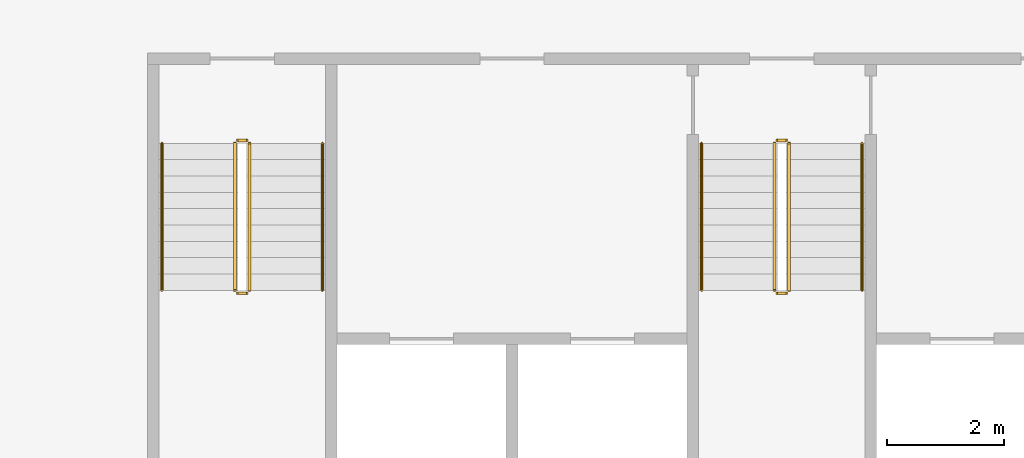
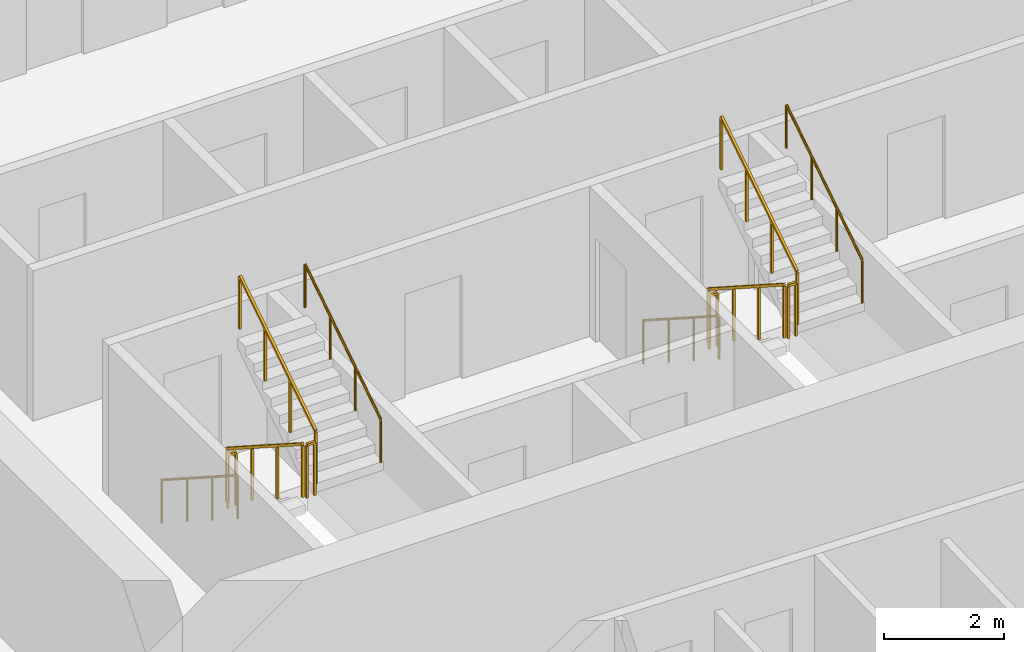
# One storey, part 15 of 17: 12 railings.
"""IFC4 building model written with IfcOpenShell, lengths in metres."""

from ifc_helpers import new_model, si_unit, direction, frame, origin, origin_2d, place, context, subcontext, project, spatial, rectangle, circle, extrude, material, type_object, element, save


model = new_model("IFC4")

# Units and contexts
model_context = context("Model", 3, precision=1e-05, world=origin(), true_north=direction((0.0, 1.0)))
body_context = subcontext(model_context, "Body", "Model", "MODEL_VIEW")
ifc_project = project(units=[si_unit("LENGTHUNIT", "METRE"), si_unit("AREAUNIT", "SQUARE_METRE"), si_unit("VOLUMEUNIT", "CUBIC_METRE"), si_unit("PLANEANGLEUNIT", "RADIAN"), si_unit("MASSUNIT", "GRAM", prefix="KILO")], contexts=[model_context])

# Site, building, storey
site_placement = place(None, origin())
site = spatial("IfcSite", under=ifc_project, at=site_placement, CompositionType="ELEMENT")
building_placement = place(site_placement, origin())
building = spatial("IfcBuilding", under=site, at=building_placement, Name="Mangrove Gate Tower", CompositionType="ELEMENT")
storey_placement = place(building_placement, frame((0.0, 0.0, 257.300048828125)))
storey = spatial("IfcBuildingStorey", under=building, at=storey_placement, Name="L65", CompositionType="ELEMENT", Elevation=257.300048828125)

# Railings
ifc_material_1 = material(Name="Stainless steel 316", Category="steel")
railing_type_1 = type_object("IfcRailingType", Name="Core stair guard 1100", PredefinedType="GUARDRAIL", material=ifc_material_1)
railing_1_placement = place(storey_placement, frame((-9.39990234375, -4.64990234375, 0.179931640625)))
element("IfcRailing", 1, at=railing_1_placement, inside=storey, type_object=railing_type_1, Name="L65 ST1 stair guard 1", PredefinedType="GUARDRAIL", context=body_context, shape_type="SweptSolid", body=[
    extrude(rectangle(XDim=0.048095703125, YDim=0.048095703125, at=origin_2d()), frame((0.0, 0.0, 1.076171875), z_axis=(0.0, -0.841162588446, 0.540782303519), x_axis=(1.0, 0.0, 0.0)), (0.0, 0.0, 1.0), 2.995849609375),
    extrude(rectangle(XDim=0.0419921875, YDim=0.0419921875, at=origin_2d()), origin(), (0.0, 0.0, 1.0), 1.052001953125),
    extrude(rectangle(XDim=0.0419921875, YDim=0.0419921875, at=origin_2d()), frame((0.0, -0.840087890625, 0.5400390625)), (0.0, 0.0, 1.0), 1.052001953125),
    extrude(rectangle(XDim=0.0419921875, YDim=0.0419921875, at=origin_2d()), frame((0.0, -1.679931640625, 1.080078125)), (0.0, 0.0, 1.0), 1.052001953125),
    extrude(rectangle(XDim=0.0419921875, YDim=0.0419921875, at=origin_2d()), frame((0.0, -2.52001953125, 1.6201171875)), (0.0, 0.0, 1.0), 1.052001953125),
])
railing_2_placement = place(storey_placement, frame((-9.35009765625, -7.219970703125, 1.800048828125)))
element("IfcRailing", 2, at=railing_2_placement, inside=storey, type_object=railing_type_1, Name="L65 ST1 stair guard 2", PredefinedType="GUARDRAIL", context=body_context, shape_type="SweptSolid", body=[
    extrude(rectangle(XDim=0.048095703125, YDim=0.048095703125, at=origin_2d()), frame((0.0, 0.0, 1.076171875), z_axis=(1.0, 0.0, 0.0), x_axis=(0.0, 1.0, 0.0)), (0.0, 0.0, 1.0), 0.150146484375),
    extrude(rectangle(XDim=0.0419921875, YDim=0.0419921875, at=origin_2d()), origin(), (0.0, 0.0, 1.0), 1.052001953125),
    extrude(rectangle(XDim=0.0419921875, YDim=0.0419921875, at=origin_2d()), frame((0.150146484375, 0.0, 0.0)), (0.0, 0.0, 1.0), 1.052001953125),
])
railing_3_placement = place(storey_placement, frame((-9.14990234375, -7.169921875, 1.97998046875)))
element("IfcRailing", 3, at=railing_3_placement, inside=storey, type_object=railing_type_1, Name="L65 ST1 stair guard 3", PredefinedType="GUARDRAIL", context=body_context, shape_type="SweptSolid", body=[
    extrude(rectangle(XDim=0.048095703125, YDim=0.048095703125, at=origin_2d()), frame((0.0, 0.0, 1.076171875), z_axis=(0.0, 0.841199657755, 0.540724639528), x_axis=(-1.0, 0.0, 0.0)), (0.0, 0.0, 1.0), 2.995849609375),
    extrude(rectangle(XDim=0.0419921875, YDim=0.0419921875, at=origin_2d()), origin(), (0.0, 0.0, 1.0), 1.052001953125),
    extrude(rectangle(XDim=0.0419921875, YDim=0.0419921875, at=origin_2d()), frame((0.0, 0.840087890625, 0.5400390625)), (0.0, 0.0, 1.0), 1.052001953125),
    extrude(rectangle(XDim=0.0419921875, YDim=0.0419921875, at=origin_2d()), frame((0.0, 1.679931640625, 1.079833984375)), (0.0, 0.0, 1.0), 1.052001953125),
    extrude(rectangle(XDim=0.0419921875, YDim=0.0419921875, at=origin_2d()), frame((0.0, 2.52001953125, 1.619873046875)), (0.0, 0.0, 1.0), 1.052001953125),
])
railing_4_placement = place(storey_placement, frame((-9.35009765625, -4.60009765625, 0.0)))
element("IfcRailing", 4, at=railing_4_placement, inside=storey, type_object=railing_type_1, Name="L65 ST1 stair guard 4", PredefinedType="GUARDRAIL", context=body_context, shape_type="SweptSolid", body=[
    extrude(rectangle(XDim=0.048095703125, YDim=0.048095703125, at=origin_2d()), frame((0.0, 0.0, 1.076171875), z_axis=(1.0, 0.0, 0.0), x_axis=(0.0, 1.0, 0.0)), (0.0, 0.0, 1.0), 0.150146484375),
    extrude(rectangle(XDim=0.0419921875, YDim=0.0419921875, at=origin_2d()), origin(), (0.0, 0.0, 1.0), 1.052001953125),
    extrude(rectangle(XDim=0.0419921875, YDim=0.0419921875, at=origin_2d()), frame((0.150146484375, 0.0, 0.0)), (0.0, 0.0, 1.0), 1.052001953125),
])
railing_5_placement = place(storey_placement, frame((-0.14990234375, -4.64990234375, 0.179931640625)))
element("IfcRailing", 5, at=railing_5_placement, inside=storey, type_object=railing_type_1, Name="L65 ST2 stair guard 1", PredefinedType="GUARDRAIL", context=body_context, shape_type="SweptSolid", body=[
    extrude(rectangle(XDim=0.048095703125, YDim=0.048095703125, at=origin_2d()), frame((0.0, 0.0, 1.076171875), z_axis=(0.0, -0.841162588446, 0.540782303519), x_axis=(1.0, 0.0, 0.0)), (0.0, 0.0, 1.0), 2.995849609375),
    extrude(rectangle(XDim=0.0419921875, YDim=0.0419921875, at=origin_2d()), origin(), (0.0, 0.0, 1.0), 1.052001953125),
    extrude(rectangle(XDim=0.0419921875, YDim=0.0419921875, at=origin_2d()), frame((0.0, -0.840087890625, 0.5400390625)), (0.0, 0.0, 1.0), 1.052001953125),
    extrude(rectangle(XDim=0.0419921875, YDim=0.0419921875, at=origin_2d()), frame((0.0, -1.679931640625, 1.080078125)), (0.0, 0.0, 1.0), 1.052001953125),
    extrude(rectangle(XDim=0.0419921875, YDim=0.0419921875, at=origin_2d()), frame((0.0, -2.52001953125, 1.6201171875)), (0.0, 0.0, 1.0), 1.052001953125),
])
railing_6_placement = place(storey_placement, frame((-0.10009765625, -7.219970703125, 1.800048828125)))
element("IfcRailing", 6, at=railing_6_placement, inside=storey, type_object=railing_type_1, Name="L65 ST2 stair guard 2", PredefinedType="GUARDRAIL", context=body_context, shape_type="SweptSolid", body=[
    extrude(rectangle(XDim=0.048095703125, YDim=0.048095703125, at=origin_2d()), frame((0.0, 0.0, 1.076171875), z_axis=(1.0, 0.0, 0.0), x_axis=(0.0, 1.0, 0.0)), (0.0, 0.0, 1.0), 0.150146484375),
    extrude(rectangle(XDim=0.0419921875, YDim=0.0419921875, at=origin_2d()), origin(), (0.0, 0.0, 1.0), 1.052001953125),
    extrude(rectangle(XDim=0.0419921875, YDim=0.0419921875, at=origin_2d()), frame((0.150146484375, 0.0, 0.0)), (0.0, 0.0, 1.0), 1.052001953125),
])
railing_7_placement = place(storey_placement, frame((0.10009765625, -7.169921875, 1.97998046875)))
element("IfcRailing", 7, at=railing_7_placement, inside=storey, type_object=railing_type_1, Name="L65 ST2 stair guard 3", PredefinedType="GUARDRAIL", context=body_context, shape_type="SweptSolid", body=[
    extrude(rectangle(XDim=0.048095703125, YDim=0.048095703125, at=origin_2d()), frame((0.0, 0.0, 1.076171875), z_axis=(0.0, 0.841199657755, 0.540724639528), x_axis=(-1.0, 0.0, 0.0)), (0.0, 0.0, 1.0), 2.995849609375),
    extrude(rectangle(XDim=0.0419921875, YDim=0.0419921875, at=origin_2d()), origin(), (0.0, 0.0, 1.0), 1.052001953125),
    extrude(rectangle(XDim=0.0419921875, YDim=0.0419921875, at=origin_2d()), frame((0.0, 0.840087890625, 0.5400390625)), (0.0, 0.0, 1.0), 1.052001953125),
    extrude(rectangle(XDim=0.0419921875, YDim=0.0419921875, at=origin_2d()), frame((0.0, 1.679931640625, 1.079833984375)), (0.0, 0.0, 1.0), 1.052001953125),
    extrude(rectangle(XDim=0.0419921875, YDim=0.0419921875, at=origin_2d()), frame((0.0, 2.52001953125, 1.619873046875)), (0.0, 0.0, 1.0), 1.052001953125),
])
railing_8_placement = place(storey_placement, frame((-0.10009765625, -4.60009765625, 0.0)))
element("IfcRailing", 8, at=railing_8_placement, inside=storey, type_object=railing_type_1, Name="L65 ST2 stair guard 4", PredefinedType="GUARDRAIL", context=body_context, shape_type="SweptSolid", body=[
    extrude(rectangle(XDim=0.048095703125, YDim=0.048095703125, at=origin_2d()), frame((0.0, 0.0, 1.076171875), z_axis=(1.0, 0.0, 0.0), x_axis=(0.0, 1.0, 0.0)), (0.0, 0.0, 1.0), 0.150146484375),
    extrude(rectangle(XDim=0.0419921875, YDim=0.0419921875, at=origin_2d()), origin(), (0.0, 0.0, 1.0), 1.052001953125),
    extrude(rectangle(XDim=0.0419921875, YDim=0.0419921875, at=origin_2d()), frame((0.150146484375, 0.0, 0.0)), (0.0, 0.0, 1.0), 1.052001953125),
])
ifc_material_2 = material(Name="Stainless steel 316", Category="steel")
railing_type_2 = type_object("IfcRailingType", Name="Core stair handrail 900", PredefinedType="HANDRAIL", material=ifc_material_2)
railing_9_placement = place(storey_placement, frame((-10.64990234375, -4.64990234375, 0.179931640625)))
element("IfcRailing", 9, at=railing_9_placement, inside=storey, type_object=railing_type_2, Name="L65 ST1 stair handrail 1", PredefinedType="HANDRAIL", context=body_context, shape_type="SweptSolid", body=[
    extrude(circle(Radius=0.02392578125, at=origin_2d()), frame((0.0, 0.0, 0.8759765625), z_axis=(0.0, -0.841162588446, 0.540782303519), x_axis=(1.0, 0.0, 0.0)), (0.0, 0.0, 1.0), 2.995849609375),
    extrude(circle(Radius=0.02099609375, at=origin_2d()), origin(), (0.0, 0.0, 1.0), 0.851806640625),
    extrude(circle(Radius=0.02099609375, at=origin_2d()), frame((0.0, -0.840087890625, 0.5400390625)), (0.0, 0.0, 1.0), 0.851806640625),
    extrude(circle(Radius=0.02099609375, at=origin_2d()), frame((0.0, -1.679931640625, 1.080078125)), (0.0, 0.0, 1.0), 0.851806640625),
    extrude(circle(Radius=0.02099609375, at=origin_2d()), frame((0.0, -2.52001953125, 1.6201171875)), (0.0, 0.0, 1.0), 0.851806640625),
])
railing_10_placement = place(storey_placement, frame((-7.89990234375, -7.169921875, 1.97998046875)))
element("IfcRailing", 10, at=railing_10_placement, inside=storey, type_object=railing_type_2, Name="L65 ST1 stair handrail 2", PredefinedType="HANDRAIL", context=body_context, shape_type="SweptSolid", body=[
    extrude(circle(Radius=0.02392578125, at=origin_2d()), frame((0.0, 0.0, 0.8759765625), z_axis=(0.0, 0.841199657755, 0.540724639528), x_axis=(-1.0, 0.0, 0.0)), (0.0, 0.0, 1.0), 2.995849609375),
    extrude(circle(Radius=0.02099609375, at=origin_2d()), origin(), (0.0, 0.0, 1.0), 0.851806640625),
    extrude(circle(Radius=0.02099609375, at=origin_2d()), frame((0.0, 0.840087890625, 0.5400390625)), (0.0, 0.0, 1.0), 0.851806640625),
    extrude(circle(Radius=0.02099609375, at=origin_2d()), frame((0.0, 1.679931640625, 1.079833984375)), (0.0, 0.0, 1.0), 0.851806640625),
    extrude(circle(Radius=0.02099609375, at=origin_2d()), frame((0.0, 2.52001953125, 1.619873046875)), (0.0, 0.0, 1.0), 0.851806640625),
])
railing_11_placement = place(storey_placement, frame((-1.39990234375, -4.64990234375, 0.179931640625)))
element("IfcRailing", 11, at=railing_11_placement, inside=storey, type_object=railing_type_2, Name="L65 ST2 stair handrail 1", PredefinedType="HANDRAIL", context=body_context, shape_type="SweptSolid", body=[
    extrude(circle(Radius=0.02392578125, at=origin_2d()), frame((0.0, 0.0, 0.8759765625), z_axis=(0.0, -0.841162588446, 0.540782303519), x_axis=(1.0, 0.0, 0.0)), (0.0, 0.0, 1.0), 2.995849609375),
    extrude(circle(Radius=0.02099609375, at=origin_2d()), origin(), (0.0, 0.0, 1.0), 0.851806640625),
    extrude(circle(Radius=0.02099609375, at=origin_2d()), frame((0.0, -0.840087890625, 0.5400390625)), (0.0, 0.0, 1.0), 0.851806640625),
    extrude(circle(Radius=0.02099609375, at=origin_2d()), frame((0.0, -1.679931640625, 1.080078125)), (0.0, 0.0, 1.0), 0.851806640625),
    extrude(circle(Radius=0.02099609375, at=origin_2d()), frame((0.0, -2.52001953125, 1.6201171875)), (0.0, 0.0, 1.0), 0.851806640625),
])
railing_12_placement = place(storey_placement, frame((1.35009765625, -7.169921875, 1.97998046875)))
element("IfcRailing", 12, at=railing_12_placement, inside=storey, type_object=railing_type_2, Name="L65 ST2 stair handrail 2", PredefinedType="HANDRAIL", context=body_context, shape_type="SweptSolid", body=[
    extrude(circle(Radius=0.02392578125, at=origin_2d()), frame((0.0, 0.0, 0.8759765625), z_axis=(0.0, 0.841199657755, 0.540724639528), x_axis=(-1.0, 0.0, 0.0)), (0.0, 0.0, 1.0), 2.995849609375),
    extrude(circle(Radius=0.02099609375, at=origin_2d()), origin(), (0.0, 0.0, 1.0), 0.851806640625),
    extrude(circle(Radius=0.02099609375, at=origin_2d()), frame((0.0, 0.840087890625, 0.5400390625)), (0.0, 0.0, 1.0), 0.851806640625),
    extrude(circle(Radius=0.02099609375, at=origin_2d()), frame((0.0, 1.679931640625, 1.079833984375)), (0.0, 0.0, 1.0), 0.851806640625),
    extrude(circle(Radius=0.02099609375, at=origin_2d()), frame((0.0, 2.52001953125, 1.619873046875)), (0.0, 0.0, 1.0), 0.851806640625),
])

save(model, "model.ifc")
